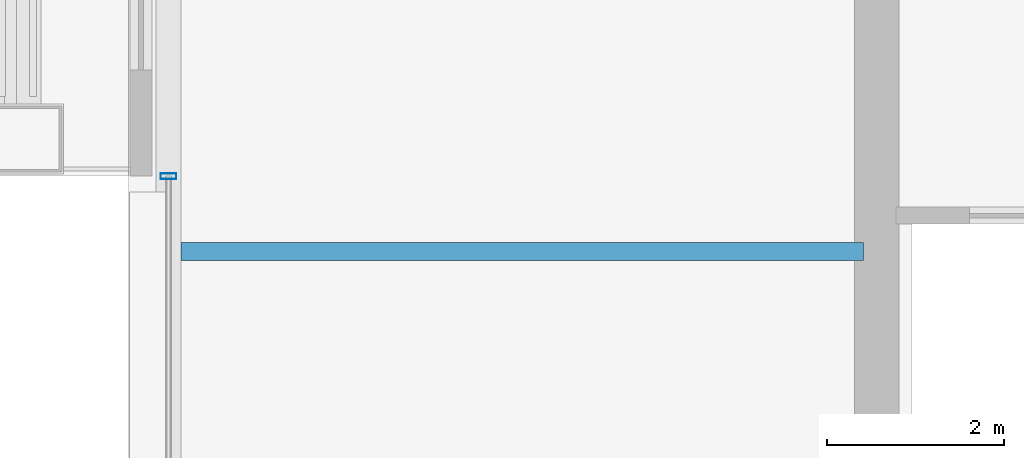
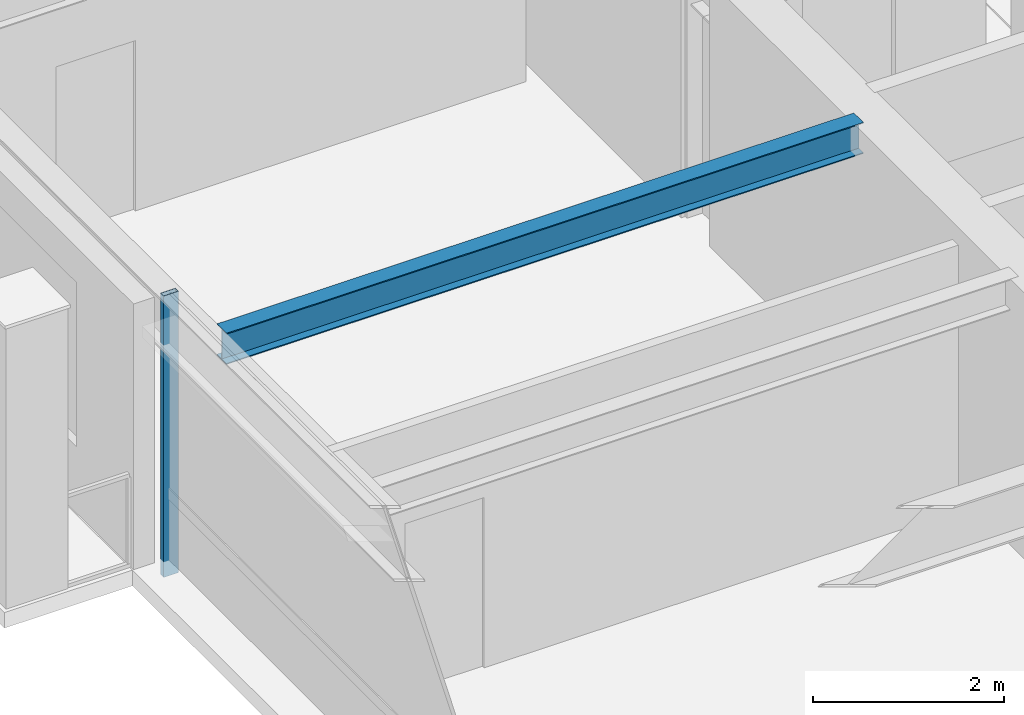
# One storey, part 9 of 31: 1 beam, 1 member, 1 element without a shape of its own.
"""IFC4 building model written with IfcOpenShell, lengths in metres."""

from ifc_helpers import new_model, si_unit, direction, frame, origin, origin_2d, place, context, subcontext, project, spatial, hollow_rectangle, i_section, extrude, material, layer, layer_set, material_profile, profile_set, type_object, element, aggregate, save


model = new_model("IFC4")

# Units and contexts
model_context = context("Model", 3, precision=1e-05, world=origin(), true_north=direction((0.0, 1.0)))
body_context = subcontext(model_context, "Body", "Model", "MODEL_VIEW")
ifc_project = project(units=[si_unit("LENGTHUNIT", "METRE"), si_unit("AREAUNIT", "SQUARE_METRE"), si_unit("VOLUMEUNIT", "CUBIC_METRE"), si_unit("PLANEANGLEUNIT", "RADIAN"), si_unit("MASSUNIT", "GRAM", prefix="KILO")], contexts=[model_context])

# Site, building, storey
site_placement = place(None, origin())
site = spatial("IfcSite", under=ifc_project, at=site_placement, CompositionType="ELEMENT")
building_placement = place(site_placement, origin())
building = spatial("IfcBuilding", under=site, at=building_placement, Name="Brelmoor Portico Tower", CompositionType="ELEMENT")
storey_placement = place(building_placement, frame((0.0, 0.0, 113.39990234375)))
storey = spatial("IfcBuildingStorey", under=building, at=storey_placement, Name="L29", CompositionType="ELEMENT", Elevation=113.39990234375)

# Beam
ifc_material_1 = material(Name="Steel Q355B", Category="steel")
ifc_material_profile_1 = material_profile(ifc_material_1, i_section(OverallWidth=0.199951171875, OverallDepth=0.39990234375, WebThickness=0.008056640625, FlangeThickness=0.012939453125, at=origin_2d()), Name="HN 400x200x8x13")
ifc_profile_set_1 = profile_set([ifc_material_profile_1], Name="Steel Q355B")
beam_type = type_object("IfcBeamType", Name="BM-JS-400", PredefinedType="JOIST", material=ifc_profile_set_1)
beam_placement = place(storey_placement, frame((-22.409912109375, -3.25, 3.2001953125), z_axis=(1.0, 0.0, 0.0), x_axis=(0.0, 1.0, 0.0)))
element("IfcBeam", 1, at=beam_placement, inside=storey, type_object=beam_type, Name="L29 Secondary Wing Joist JS-W06", PredefinedType="JOIST", context=body_context, shape_type="SweptSolid", body=[
    extrude(i_section(OverallWidth=0.199951171875, OverallDepth=0.39990234375, WebThickness=0.008056640625, FlangeThickness=0.012939453125, at=origin_2d()), origin(), (0.0, 0.0, 1.0), 7.7099609375),
])

# Curtain wall, member
ifc_material_2 = material(Name="Anodised Aluminium Alloy 6063-T6", Category="aluminium")
ifc_layer = layer(ifc_material_2, 0.179931640625)
ifc_layer_set = layer_set([ifc_layer], Name="Anodised Aluminium Alloy 6063-T6")
curtain_wall_type = type_object("IfcCurtainWallType", Name="CW-TOWER-Z2", PredefinedType="NOTDEFINED", material=ifc_layer_set)
curtain_wall_placement = place(storey_placement, origin())
curtain_wall = element("IfcCurtainWall", 2, at=curtain_wall_placement, inside=storey, type_object=curtain_wall_type, Name="L29 Curtain Wall CW-L29-3L-2", PredefinedType="NOTDEFINED")
ifc_material_profile_2 = material_profile(ifc_material_2, hollow_rectangle(XDim=0.06494140625, YDim=0.179931640625, WallThickness=0.00390625, at=origin_2d()), Name="ALU MULLION 65x180")
ifc_profile_set_2 = profile_set([ifc_material_profile_2], Name="Anodised Aluminium Alloy 6063-T6")
member_type = type_object("IfcMemberType", Name="MB-CW-MULL-180", PredefinedType="MULLION", material=ifc_profile_set_2)
member_placement = place(storey_placement, frame((-22.550048828125, -2.39990234375, -0.199951171875), z_axis=(0.0, 0.0, 1.0), x_axis=(0.0, 1.0, 0.0)))
member = element("IfcMember", 3, at=member_placement, type_object=member_type, Name="CW-L29-3L-2 Mullion 01", PredefinedType="MULLION", context=body_context, shape_type="SweptSolid", body=[
    extrude(hollow_rectangle(XDim=0.06494140625, YDim=0.179931640625, WallThickness=0.00390625, at=origin_2d()), origin(), (0.0, 0.0, 1.0), 3.60009765625),
])
aggregate(curtain_wall, [member])

save(model, "model.ifc")
